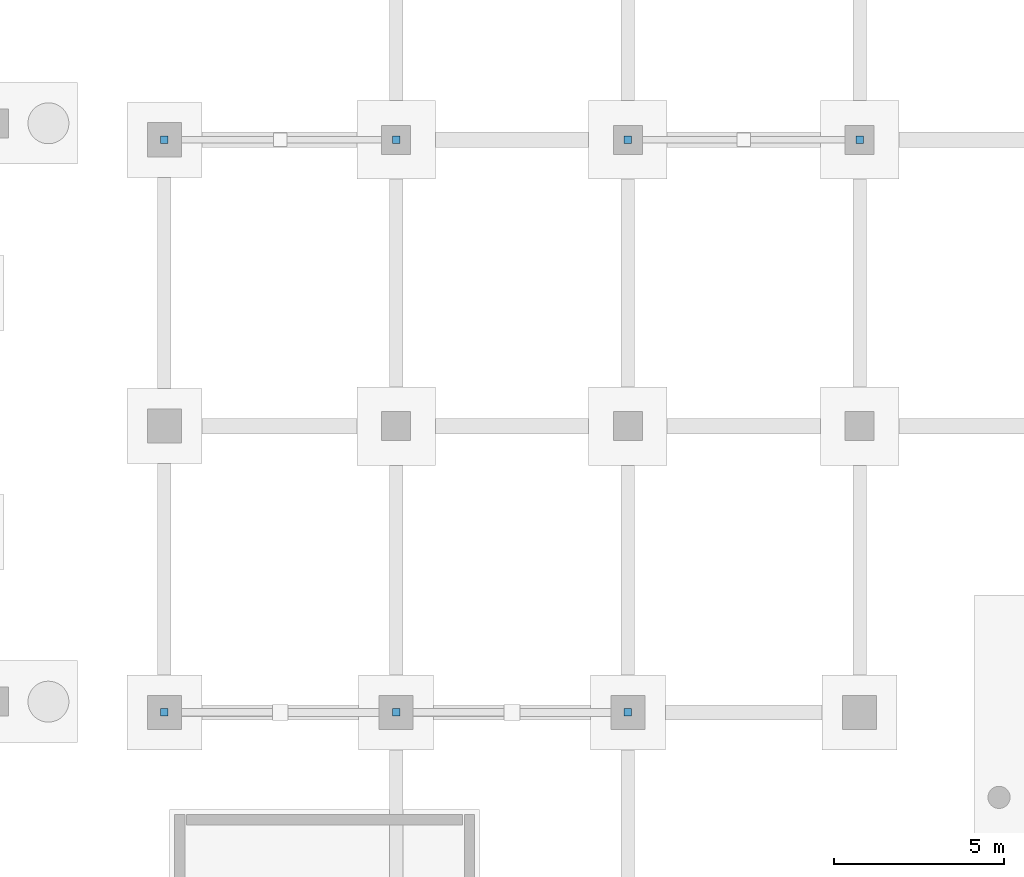
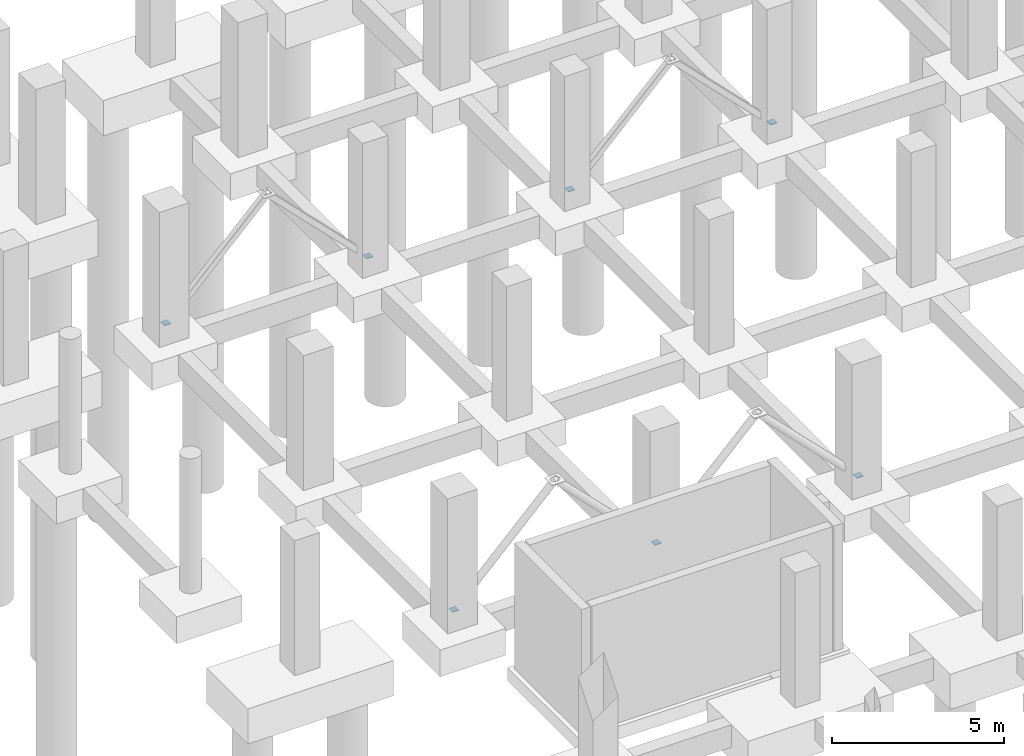
# One storey, part 41 of 44: 7 discrete accessories.
"""IFC4 building model written with IfcOpenShell, lengths in metres."""

import ifcopenshell
import ifcopenshell.guid

model = None  # the IFC model being written
_history = None  # IfcOwnerHistory: only IFC2X3 demands one
_inside = {}  # id of a spatial element -> (the spatial element, [elements in it])
_under = {}  # id of a project, library or spatial element -> (it, [spatial elements below it])
_declared = {}  # id of a project -> (the project, [libraries it declares])
_typed = {}  # id of a type object -> (the type object, [elements of that type])
_made_of = {}  # id of a material, layer set ... -> (it, [elements and type objects made of it])


def new_model(schema):
    """Start an empty IFC model of exactly this schema.

    Asked for "IFC4X3", IfcOpenShell would pick the latest addendum, in which some entities
    have other attributes; the version numbers below select the first issue.
    IFC2X3 requires an IfcOwnerHistory on every rooted entity: one is made here for all.
    """
    global model, _history
    if schema == "IFC4X3":
        model = ifcopenshell.file(schema_version=(4, 3, 0, 0))
    else:
        model = ifcopenshell.file(schema=schema)
    _inside.clear()
    _under.clear()
    _declared.clear()
    _typed.clear()
    _made_of.clear()
    _history = None
    if model.schema == "IFC2X3":
        org = make("IfcOrganization", Name="unknown")
        user = make(
            "IfcPersonAndOrganization",
            ThePerson=make("IfcPerson", FamilyName="unknown"),
            TheOrganization=org,
        )
        app = make(
            "IfcApplication",
            ApplicationDeveloper=org,
            Version="unknown",
            ApplicationFullName="unknown",
            ApplicationIdentifier="unknown",
        )
        _history = make(
            "IfcOwnerHistory",
            OwningUser=user,
            OwningApplication=app,
            ChangeAction="ADDED",
            CreationDate=0,
        )
    return model


def make(cls, **values):
    """One entity of the class cls with the attributes given. An attribute that is None is left unset."""
    return model.create_entity(
        cls, **{name: value for name, value in values.items() if value is not None}
    )


def rooted(cls, **values):
    """An entity with a GlobalId (a new one), such as an element, a storey or a relation."""
    return make(cls, GlobalId=ifcopenshell.guid.new(), OwnerHistory=_history, **values)


def si_unit(unit_type, name, prefix=None):
    """IfcSIUnit, for example si_unit("LENGTHUNIT", "METRE", prefix="MILLI")."""
    return make("IfcSIUnit", UnitType=unit_type, Prefix=prefix, Name=name)


def assignment(units):
    """IfcUnitAssignment: the units of a project."""
    return None if units is None else make("IfcUnitAssignment", Units=units)


def point(xyz):
    """IfcCartesianPoint."""
    return None if xyz is None else make("IfcCartesianPoint", Coordinates=xyz)


def direction(xyz):
    """IfcDirection."""
    return None if xyz is None else make("IfcDirection", DirectionRatios=xyz)


def frame(location, z_axis=None, x_axis=None):
    """IfcAxis2Placement3D, a coordinate frame: its origin and axes. An axis left out is left unset."""
    return make(
        "IfcAxis2Placement3D",
        Location=point(location),
        Axis=direction(z_axis),
        RefDirection=direction(x_axis),
    )


def frame_2d(location, x_axis=None):
    """IfcAxis2Placement2D, a coordinate frame in the plane: its origin and x axis."""
    return make(
        "IfcAxis2Placement2D", Location=point(location), RefDirection=direction(x_axis)
    )


def origin():
    """The frame at (0, 0, 0) with its axes left unset."""
    return frame((0.0, 0.0, 0.0))


def origin_2d():
    """The frame at (0, 0) in the plane with its x axis left unset."""
    return frame_2d((0.0, 0.0))


def place(relative_to, where):
    """IfcLocalPlacement: puts the frame where relative to a parent placement (None: the world)."""
    return make(
        "IfcLocalPlacement", PlacementRelTo=relative_to, RelativePlacement=where
    )


def context(
    kind, dimensions, precision=None, world=None, true_north=None, identifier=None
):
    """IfcGeometricRepresentationContext, for example the 3D "Model" context."""
    return make(
        "IfcGeometricRepresentationContext",
        ContextIdentifier=identifier,
        ContextType=kind,
        CoordinateSpaceDimension=dimensions,
        Precision=precision,
        WorldCoordinateSystem=world,
        TrueNorth=true_north,
    )


def subcontext(parent, identifier, kind, view, scale=None):
    """IfcGeometricRepresentationSubContext, for example "Body" below "Model"."""
    return make(
        "IfcGeometricRepresentationSubContext",
        ContextIdentifier=identifier,
        ContextType=kind,
        ParentContext=parent,
        TargetScale=scale,
        TargetView=view,
    )


def project(units=None, contexts=None):
    """IfcProject with its units and contexts."""
    return rooted(
        "IfcProject",
        Name="project",
        RepresentationContexts=contexts,
        UnitsInContext=assignment(units),
    )


def spatial(cls, under=None, at=None, **own):
    """A site, building, storey or space (cls), placed at a placement, below another one or the project."""
    s = rooted(cls, ObjectPlacement=at, **own)
    if under is not None:
        _under.setdefault(under.id(), (under, []))[1].append(s)
    return s


def profile(cls, at=None, kind="AREA", **sizes):
    """A parametric profile (cls). Its sizes go by their IFC names, for example OverallWidth=200.0."""
    return make(cls, ProfileType=kind, Position=at, **sizes)


def rectangle(**sizes):
    """IfcRectangleProfileDef."""
    return profile("IfcRectangleProfileDef", **sizes)


def extrude(swept, where, along, depth):
    """IfcExtrudedAreaSolid: the profile swept, set in the frame where, extruded along a direction by depth."""
    return make(
        "IfcExtrudedAreaSolid",
        SweptArea=swept,
        Position=where,
        ExtrudedDirection=direction(along),
        Depth=depth,
    )


def shape(context_of_items, identifier, shape_type, items):
    """IfcShapeRepresentation: the items that make up one representation, for example the "Body"."""
    return make(
        "IfcShapeRepresentation",
        ContextOfItems=context_of_items,
        RepresentationIdentifier=identifier,
        RepresentationType=shape_type,
        Items=items,
    )


def material(Name=None, Category=None):
    """IfcMaterial."""
    return make("IfcMaterial", Name=Name, Category=Category)


def layer(
    of_material, thickness, ventilated=None, Name=None, Category=None, Priority=None
):
    """IfcMaterialLayer: one layer of a wall or slab, of a material (None: an air gap)."""
    return make(
        "IfcMaterialLayer",
        Material=of_material,
        LayerThickness=thickness,
        IsVentilated=ventilated,
        Name=Name,
        Category=Category,
        Priority=Priority,
    )


def layer_set(layers, Name=None):
    """IfcMaterialLayerSet."""
    return make("IfcMaterialLayerSet", MaterialLayers=layers, LayerSetName=Name)


def made_of(thing, what):
    """Note that an element or type object is made of a material, layer set ...; save() writes the relation."""
    if what is not None:
        _made_of.setdefault(what.id(), (what, []))[1].append(thing)
    return thing


def type_object(cls, material=None, **own):
    """A type object (cls), such as IfcWallType, which elements share."""
    return made_of(rooted(cls, **own), material)


def element(
    cls,
    number,
    at=None,
    inside=None,
    cuts=None,
    type_object=None,
    material=None,
    context=None,
    identifier="Body",
    shape_type=None,
    held_by="IfcProductDefinitionShape",
    body=None,
    shapes=None,
    **own,
):
    """One element of the class cls, such as IfcWall. Its Tag is "e" and its number.

    at: its placement. inside: the storey or other place that contains it. cuts: it is an
    opening in that element (IfcRelVoidsElement). A single representation is given by context,
    identifier, shape_type and body (its items); several are given by shapes. held_by: the class
    of the entity that holds the representations. save() writes the other relations.
    """
    e = rooted(cls, Tag="e%d" % number, ObjectPlacement=at, **own)
    if body is not None:
        shapes = [shape(context, identifier, shape_type, body)]
    if shapes is not None:
        e.Representation = make(held_by, Representations=shapes)
    if inside is not None:
        _inside.setdefault(inside.id(), (inside, []))[1].append(e)
    if cuts is not None:
        rooted(
            "IfcRelVoidsElement", RelatingBuildingElement=cuts, RelatedOpeningElement=e
        )
    if type_object is not None:
        _typed.setdefault(type_object.id(), (type_object, []))[1].append(e)
    return made_of(e, material)


def aggregate(whole, parts):
    """IfcRelAggregates: a whole, such as a stair, and the parts it consists of."""
    return rooted("IfcRelAggregates", RelatingObject=whole, RelatedObjects=parts)


def save(model, path):
    """Write the relations noted so far, then the file.

    IfcRelAggregates (storeys below a building ...), IfcRelContainedInSpatialStructure (elements
    in a storey), IfcRelDefinesByType, IfcRelAssociatesMaterial and IfcRelDeclares: one each for
    every whole, place, type object, material and project.
    """
    for whole, parts in _under.values():
        aggregate(whole, parts)
    for where, things in _inside.values():
        rooted(
            "IfcRelContainedInSpatialStructure",
            RelatedElements=things,
            RelatingStructure=where,
        )
    for kind, things in _typed.values():
        rooted("IfcRelDefinesByType", RelatedObjects=things, RelatingType=kind)
    for what, things in _made_of.values():
        rooted("IfcRelAssociatesMaterial", RelatedObjects=things, RelatingMaterial=what)
    for by, libraries in _declared.values():
        rooted("IfcRelDeclares", RelatingContext=by, RelatedDefinitions=libraries)
    model.write(path)


model = new_model("IFC4")

# Units and contexts
model_context = context("Model", 3, precision=1e-05, world=origin(), true_north=direction((0.0, 1.0)))
body_context = subcontext(model_context, "Body", "Model", "MODEL_VIEW")
ifc_project = project(units=[si_unit("LENGTHUNIT", "METRE"), si_unit("AREAUNIT", "SQUARE_METRE"), si_unit("VOLUMEUNIT", "CUBIC_METRE"), si_unit("PLANEANGLEUNIT", "RADIAN"), si_unit("MASSUNIT", "GRAM", prefix="KILO")], contexts=[model_context])

# Site, building, storey
site_placement = place(None, origin())
site = spatial("IfcSite", under=ifc_project, at=site_placement, CompositionType="ELEMENT")
building_placement = place(site_placement, origin())
building = spatial("IfcBuilding", under=site, at=building_placement, Name="Kisaragi Civic Commons", CompositionType="ELEMENT")
storey_placement = place(building_placement, frame((0.0, 0.0, -4.800048828125)))
storey = spatial("IfcBuildingStorey", under=building, at=storey_placement, Name="B1", CompositionType="ELEMENT", Elevation=-4.800048828125)

# Discrete accessories
ifc_material = material(Name="Steel SN490 (SN490B)", Category="steel")
ifc_layer = layer(ifc_material, 0.02392578125, Name="Steel SN490 (SN490B)", Category="steel")
ifc_layer_set = layer_set([ifc_layer], Name="Steel SN490 (SN490B)")
discrete_accessory_type = type_object("IfcDiscreteAccessoryType", Name="CN-01", PredefinedType="SHOE", material=ifc_layer_set)
for number, where, z_axis, x_axis, name in (
    (1, (6.800048828125, 87.60009765625, 0.38818359375), (0.0, 0.0, 1.0), (1.0, 0.0, 0.0), "Brace/strut steel end connection 7"),
    (2, (13.60009765625, 87.60009765625, 0.38818359375), (0.0, 0.0, 1.0), (1.0, 0.0, 0.0), "Brace/strut steel end connection 8"),
    (3, (20.39990234375, 87.60009765625, 0.38818359375), (0.0, 0.0, 1.0), (1.0, 0.0, 0.0), "Brace/strut steel end connection 9"),
    (4, (6.800048828125, 104.39990234375, 0.38818359375), (0.0, 0.0, 1.0), (1.0, 0.0, 0.0), "Brace/strut steel end connection 10"),
    (5, (13.60009765625, 104.39990234375, 0.38818359375), (0.0, 0.0, 1.0), (1.0, 0.0, 0.0), "Brace/strut steel end connection 11"),
    (6, (20.39990234375, 104.39990234375, 0.38818359375), (0.0, 0.0, 1.0), (1.0, 0.0, 0.0), "Brace/strut steel end connection 12"),
    (7, (27.199951171875, 104.39990234375, 0.38818359375), (0.0, 0.0, 1.0), (1.0, 0.0, 0.0), "Brace/strut steel end connection 13"),
):
    element("IfcDiscreteAccessory", number, at=place(storey_placement, frame(where, z_axis=z_axis, x_axis=x_axis)), inside=storey, type_object=discrete_accessory_type, Name=name, PredefinedType="SHOE", context=body_context, shape_type="SweptSolid", body=[
        extrude(rectangle(XDim=0.219970703125, YDim=0.219970703125, at=origin_2d()), origin(), (0.0, 0.0, 1.0), 0.02392578125),
    ])

save(model, "model.ifc")
